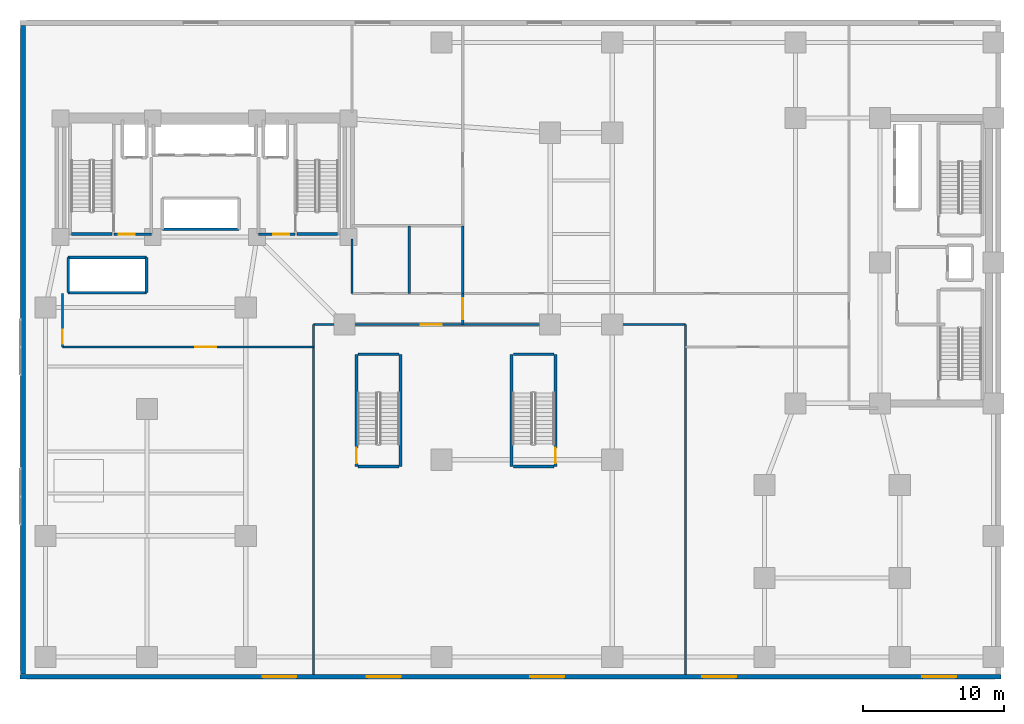
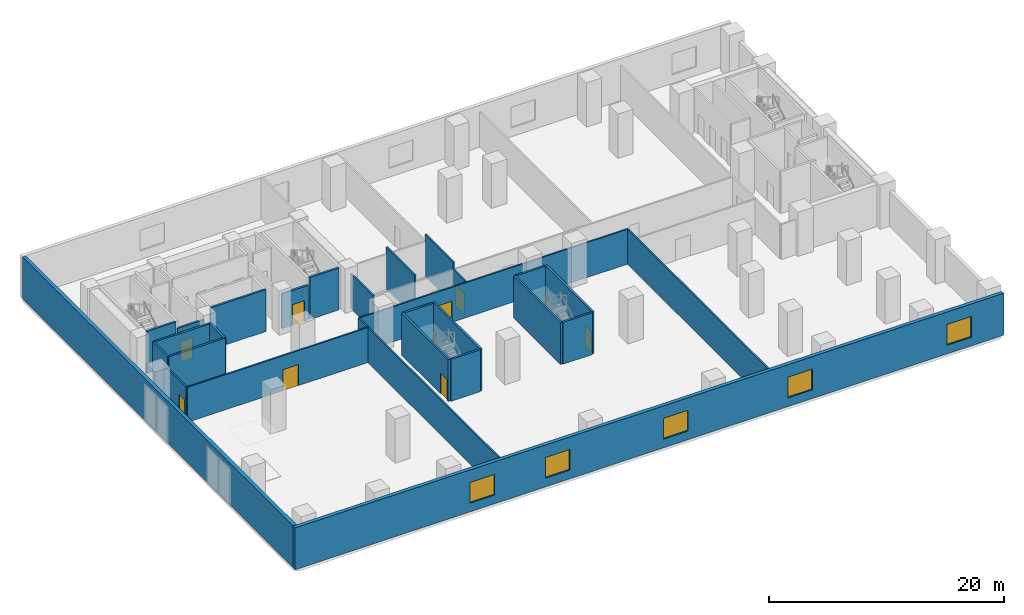
# One storey, part 8 of 14: 28 walls, 8 doors, 5 windows, 13 openings.
"""IFC4 building model written with IfcOpenShell, lengths in metres."""

from ifc_helpers import new_model, si_unit, direction, frame, frame_2d, origin, place, context, subcontext, project, spatial, rectangle, extrude, material, layer, layer_set, type_object, element, fill, save


model = new_model("IFC4")

# Units and contexts
model_context = context("Model", 3, precision=1e-05, world=origin(), true_north=direction((0.0, 1.0)))
body_context = subcontext(model_context, "Body", "Model", "MODEL_VIEW")
ifc_project = project(units=[si_unit("LENGTHUNIT", "METRE"), si_unit("AREAUNIT", "SQUARE_METRE"), si_unit("VOLUMEUNIT", "CUBIC_METRE"), si_unit("PLANEANGLEUNIT", "RADIAN"), si_unit("MASSUNIT", "GRAM", prefix="KILO")], contexts=[model_context])

# Site, building, storey
site_placement = place(None, origin())
site = spatial("IfcSite", under=ifc_project, at=site_placement, CompositionType="ELEMENT")
building_placement = place(site_placement, origin())
building = spatial("IfcBuilding", under=site, at=building_placement, Name="Kuzgunbayir Cultural Tower", CompositionType="ELEMENT")
storey_placement = place(building_placement, frame((0.0, 0.0, 13.0)))
storey = spatial("IfcBuildingStorey", under=building, at=storey_placement, Name="L03", CompositionType="ELEMENT", Elevation=13.0)

# Wall, openings, windows
ifc_material_1 = material(Name="Anatolian Cream Limestone", Category="masonry")
ifc_layer_1 = layer(ifc_material_1, 0.35009765625)
ifc_layer_set_1 = layer_set([ifc_layer_1], Name="Anatolian Cream Limestone")
wall_type_1 = type_object("IfcWallType", Name="WAL-EXT-STONE-350", PredefinedType="STANDARD", material=ifc_layer_set_1)
wall_1_placement = place(storey_placement, frame((3.60009765625, 2.60009765625, 0.0), z_axis=(0.0, 0.0, 1.0), x_axis=(1.0, 0.0, 0.0)))
wall_1 = element("IfcWall", 1, at=wall_1_placement, inside=storey, type_object=wall_type_1, Name="L03 Podium South Limestone Facade", PredefinedType="STANDARD", context=body_context, shape_type="SweptSolid", body=[
    extrude(rectangle(XDim=69.599853515625, YDim=0.35009765625, at=frame_2d((34.7998046875, 0.0))), origin(), (0.0, 0.0, 1.0), 4.35009765625),
])
opening_1_placement = place(wall_1_placement, frame((17.199951171875, 0.0, 0.89990234375)))
opening_1 = element("IfcOpeningElement", 2, at=opening_1_placement, cuts=wall_1, Name="Opening WG-24", PredefinedType="OPENING", context=body_context, shape_type="SweptSolid", body=[
    extrude(rectangle(XDim=2.39990234375, YDim=2.14990234375, at=frame_2d((1.199951171875, 1.074951171875))), frame((0.0, 0.18505859375, 0.0), z_axis=(0.0, -1.0, 0.0), x_axis=(1.0, 0.0, 0.0)), (0.0, 0.0, 1.0), 0.3701171875),
])
opening_2_placement = place(wall_1_placement, frame((24.60009765625, 0.0, 0.89990234375)))
opening_2 = element("IfcOpeningElement", 3, at=opening_2_placement, cuts=wall_1, Name="Opening WG-24", PredefinedType="OPENING", context=body_context, shape_type="SweptSolid", body=[
    extrude(rectangle(XDim=2.39990234375, YDim=2.14990234375, at=frame_2d((1.199951171875, 1.074951171875))), frame((0.0, 0.18505859375, 0.0), z_axis=(0.0, -1.0, 0.0), x_axis=(1.0, 0.0, 0.0)), (0.0, 0.0, 1.0), 0.3701171875),
])
opening_3_placement = place(wall_1_placement, frame((36.199951171875, 0.0, 0.89990234375)))
opening_3 = element("IfcOpeningElement", 4, at=opening_3_placement, cuts=wall_1, Name="Opening WG-24", PredefinedType="OPENING", context=body_context, shape_type="SweptSolid", body=[
    extrude(rectangle(XDim=2.39990234375, YDim=2.14990234375, at=frame_2d((1.199951171875, 1.074951171875))), frame((0.0, 0.18505859375, 0.0), z_axis=(0.0, -1.0, 0.0), x_axis=(1.0, 0.0, 0.0)), (0.0, 0.0, 1.0), 0.3701171875),
])
opening_4_placement = place(wall_1_placement, frame((48.39990234375, 0.0, 0.89990234375)))
opening_4 = element("IfcOpeningElement", 5, at=opening_4_placement, cuts=wall_1, Name="Opening WG-24", PredefinedType="OPENING", context=body_context, shape_type="SweptSolid", body=[
    extrude(rectangle(XDim=2.39990234375, YDim=2.14990234375, at=frame_2d((1.199951171875, 1.074951171875))), frame((0.0, 0.18505859375, 0.0), z_axis=(0.0, -1.0, 0.0), x_axis=(1.0, 0.0, 0.0)), (0.0, 0.0, 1.0), 0.3701171875),
])
opening_5_placement = place(wall_1_placement, frame((64.0, 0.0, 0.89990234375)))
opening_5 = element("IfcOpeningElement", 6, at=opening_5_placement, cuts=wall_1, Name="Opening WG-24", PredefinedType="OPENING", context=body_context, shape_type="SweptSolid", body=[
    extrude(rectangle(XDim=2.39990234375, YDim=2.14990234375, at=frame_2d((1.199951171875, 1.074951171875))), frame((0.0, 0.18505859375, 0.0), z_axis=(0.0, -1.0, 0.0), x_axis=(1.0, 0.0, 0.0)), (0.0, 0.0, 1.0), 0.3701171875),
])
ifc_material_2 = material(Name="Solar-Control Triple Glazing", Category="glass")
window_type = type_object("IfcWindowType", Name="WIN-GALLERY-24", PartitioningType="SINGLE_PANEL", PredefinedType="WINDOW", material=ifc_material_2)
window_1_placement = place(opening_1_placement, origin())
window_1 = element("IfcWindow", 7, at=window_1_placement, inside=storey, type_object=window_type, Name="L03 Podium South Gallery Window 1", OverallHeight=2.14990234375, OverallWidth=2.39990234375, PartitioningType="SINGLE_PANEL", PredefinedType="WINDOW", context=body_context, shape_type="SweptSolid", body=[
    extrude(rectangle(XDim=2.39990234375, YDim=2.14990234375, at=frame_2d((1.199951171875, 1.074951171875))), frame((0.0, 0.030029296875, 0.0), z_axis=(0.0, -1.0, 0.0), x_axis=(1.0, 0.0, 0.0)), (0.0, 0.0, 1.0), 0.06005859375),
])
fill(opening_1, window_1)
window_2_placement = place(opening_2_placement, origin())
window_2 = element("IfcWindow", 8, at=window_2_placement, inside=storey, type_object=window_type, Name="L03 Podium South Gallery Window 2", OverallHeight=2.14990234375, OverallWidth=2.39990234375, PartitioningType="SINGLE_PANEL", PredefinedType="WINDOW", context=body_context, shape_type="SweptSolid", body=[
    extrude(rectangle(XDim=2.39990234375, YDim=2.14990234375, at=frame_2d((1.199951171875, 1.074951171875))), frame((0.0, 0.030029296875, 0.0), z_axis=(0.0, -1.0, 0.0), x_axis=(1.0, 0.0, 0.0)), (0.0, 0.0, 1.0), 0.06005859375),
])
fill(opening_2, window_2)
window_3_placement = place(opening_3_placement, origin())
window_3 = element("IfcWindow", 9, at=window_3_placement, inside=storey, type_object=window_type, Name="L03 Podium South Gallery Window 3", OverallHeight=2.14990234375, OverallWidth=2.39990234375, PartitioningType="SINGLE_PANEL", PredefinedType="WINDOW", context=body_context, shape_type="SweptSolid", body=[
    extrude(rectangle(XDim=2.39990234375, YDim=2.14990234375, at=frame_2d((1.199951171875, 1.074951171875))), frame((0.0, 0.030029296875, 0.0), z_axis=(0.0, -1.0, 0.0), x_axis=(1.0, 0.0, 0.0)), (0.0, 0.0, 1.0), 0.06005859375),
])
fill(opening_3, window_3)
window_4_placement = place(opening_4_placement, origin())
window_4 = element("IfcWindow", 10, at=window_4_placement, inside=storey, type_object=window_type, Name="L03 Podium South Gallery Window 4", OverallHeight=2.14990234375, OverallWidth=2.39990234375, PartitioningType="SINGLE_PANEL", PredefinedType="WINDOW", context=body_context, shape_type="SweptSolid", body=[
    extrude(rectangle(XDim=2.39990234375, YDim=2.14990234375, at=frame_2d((1.199951171875, 1.074951171875))), frame((0.0, 0.030029296875, 0.0), z_axis=(0.0, -1.0, 0.0), x_axis=(1.0, 0.0, 0.0)), (0.0, 0.0, 1.0), 0.06005859375),
])
fill(opening_4, window_4)
window_5_placement = place(opening_5_placement, origin())
window_5 = element("IfcWindow", 11, at=window_5_placement, inside=storey, type_object=window_type, Name="L03 Podium South Gallery Window 5", OverallHeight=2.14990234375, OverallWidth=2.39990234375, PartitioningType="SINGLE_PANEL", PredefinedType="WINDOW", context=body_context, shape_type="SweptSolid", body=[
    extrude(rectangle(XDim=2.39990234375, YDim=2.14990234375, at=frame_2d((1.199951171875, 1.074951171875))), frame((0.0, 0.030029296875, 0.0), z_axis=(0.0, -1.0, 0.0), x_axis=(1.0, 0.0, 0.0)), (0.0, 0.0, 1.0), 0.06005859375),
])
fill(opening_5, window_5)

# Wall
wall_2_placement = place(storey_placement, frame((3.800048828125, 48.800048828125, 0.0), z_axis=(0.0, 0.0, 1.0), x_axis=(0.0, -1.0, 0.0)))
element("IfcWall", 12, at=wall_2_placement, inside=storey, type_object=wall_type_1, Name="L03 Podium West Civic Limestone Facade", PredefinedType="STANDARD", context=body_context, shape_type="SweptSolid", body=[
    extrude(rectangle(XDim=46.0, YDim=0.35009765625, at=frame_2d((23.0, 0.0))), origin(), (0.0, 0.0, 1.0), 4.35009765625),
])

# Wall, opening, door
ifc_material_3 = material(Name="Acoustic Double-Stud Drywall", Category="gypsum")
ifc_layer_2 = layer(ifc_material_3, 0.14990234375)
ifc_layer_set_2 = layer_set([ifc_layer_2], Name="Acoustic Double-Stud Drywall")
wall_type_2 = type_object("IfcWallType", Name="WAL-PART-ACOUSTIC-150", PredefinedType="PARTITIONING", material=ifc_layer_set_2)
wall_3_placement = place(storey_placement, frame((6.60009765625, 26.0, 0.0), z_axis=(0.0, 0.0, 1.0), x_axis=(1.0, 0.0, 0.0)))
wall_3 = element("IfcWall", 13, at=wall_3_placement, inside=storey, type_object=wall_type_2, Name="L03 West Concourse South Wall", PredefinedType="PARTITIONING", context=body_context, shape_type="SweptSolid", body=[
    extrude(rectangle(XDim=17.7998046875, YDim=0.14990234375, at=frame_2d((8.89990234375, 0.0))), origin(), (0.0, 0.0, 1.0), 3.6298828125),
])
opening_6_placement = place(wall_3_placement, frame((9.39990234375, 0.0, 0.0)))
opening_6 = element("IfcOpeningElement", 14, at=opening_6_placement, cuts=wall_3, Name="Opening DI-150", PredefinedType="OPENING", context=body_context, shape_type="SweptSolid", body=[
    extrude(rectangle(XDim=1.5, YDim=2.179931640625, at=frame_2d((0.75, 1.08984375))), frame((0.0, 0.0849609375, 0.0), z_axis=(0.0, -1.0, 0.0), x_axis=(1.0, 0.0, 0.0)), (0.0, 0.0, 1.0), 0.169921875),
])
ifc_material_4 = material(Name="Veneered Oak Double Leaf", Category="wood")
door_type_1 = type_object("IfcDoorType", Name="DR-INT-150", OperationType="DOUBLE_DOOR_SINGLE_SWING", PredefinedType="DOOR", material=ifc_material_4)
door_1_placement = place(opening_6_placement, origin())
door_1 = element("IfcDoor", 15, at=door_1_placement, inside=storey, type_object=door_type_1, Name="L03 West Hall Concourse Door", OperationType="DOUBLE_DOOR_SINGLE_SWING", OverallHeight=2.179931640625, OverallWidth=1.5, PredefinedType="DOOR", context=body_context, shape_type="SweptSolid", body=[
    extrude(rectangle(XDim=1.5, YDim=2.179931640625, at=frame_2d((0.75, 1.08984375))), frame((0.0, 0.02490234375, 0.0), z_axis=(0.0, -1.0, 0.0), x_axis=(1.0, 0.0, 0.0)), (0.0, 0.0, 1.0), 0.050048828125),
])
fill(opening_6, door_1)

wall_4_placement = place(storey_placement, frame((24.39990234375, 27.60009765625, 0.0), z_axis=(0.0, 0.0, 1.0), x_axis=(1.0, 0.0, 0.0)))
wall_4 = element("IfcWall", 16, at=wall_4_placement, inside=storey, type_object=wall_type_2, Name="L03 Central Concourse South Wall", PredefinedType="PARTITIONING", context=body_context, shape_type="SweptSolid", body=[
    extrude(rectangle(XDim=26.400146484375, YDim=0.14990234375, at=frame_2d((13.2001953125, 0.0))), origin(), (0.0, 0.0, 1.0), 3.6298828125),
])
opening_7_placement = place(wall_4_placement, frame((7.60009765625, 0.0, 0.0)))
opening_7 = element("IfcOpeningElement", 17, at=opening_7_placement, cuts=wall_4, Name="Opening DI-150", PredefinedType="OPENING", context=body_context, shape_type="SweptSolid", body=[
    extrude(rectangle(XDim=1.5, YDim=2.179931640625, at=frame_2d((0.75, 1.08984375))), frame((0.0, 0.0849609375, 0.0), z_axis=(0.0, -1.0, 0.0), x_axis=(1.0, 0.0, 0.0)), (0.0, 0.0, 1.0), 0.169921875),
])
door_2_placement = place(opening_7_placement, origin())
door_2 = element("IfcDoor", 18, at=door_2_placement, inside=storey, type_object=door_type_1, Name="L03 Central Hall Double Door", OperationType="DOUBLE_DOOR_SINGLE_SWING", OverallHeight=2.179931640625, OverallWidth=1.5, PredefinedType="DOOR", context=body_context, shape_type="SweptSolid", body=[
    extrude(rectangle(XDim=1.5, YDim=2.179931640625, at=frame_2d((0.75, 1.08984375))), frame((0.0, 0.02490234375, 0.0), z_axis=(0.0, -1.0, 0.0), x_axis=(1.0, 0.0, 0.0)), (0.0, 0.0, 1.0), 0.050048828125),
])
fill(opening_7, door_2)

wall_5_placement = place(storey_placement, frame((35.0, 27.60009765625, 0.0), z_axis=(0.0, 0.0, 1.0), x_axis=(0.0, 1.0, 0.0)))
wall_5 = element("IfcWall", 19, at=wall_5_placement, inside=storey, type_object=wall_type_2, Name="L03 Grand Concourse Mid Threshold Wall", PredefinedType="PARTITIONING", context=body_context, shape_type="SweptSolid", body=[
    extrude(rectangle(XDim=2.199951171875, YDim=0.14990234375, at=frame_2d((1.10009765625, 0.0))), origin(), (0.0, 0.0, 1.0), 3.6298828125),
])
opening_8_placement = place(wall_5_placement, frame((0.35009765625, 0.0, 0.0)))
opening_8 = element("IfcOpeningElement", 20, at=opening_8_placement, cuts=wall_5, Name="Opening DI-150", PredefinedType="OPENING", context=body_context, shape_type="SweptSolid", body=[
    extrude(rectangle(XDim=1.5, YDim=2.179931640625, at=frame_2d((0.75, 1.08984375))), frame((0.0, 0.0849609375, 0.0), z_axis=(0.0, -1.0, 0.0), x_axis=(1.0, 0.0, 0.0)), (0.0, 0.0, 1.0), 0.169921875),
])
door_3_placement = place(opening_8_placement, origin())
door_3 = element("IfcDoor", 21, at=door_3_placement, inside=storey, type_object=door_type_1, Name="L03 Grand Concourse Mid Threshold Door", OperationType="DOUBLE_DOOR_SINGLE_SWING", OverallHeight=2.179931640625, OverallWidth=1.5, PredefinedType="DOOR", context=body_context, shape_type="SweptSolid", body=[
    extrude(rectangle(XDim=1.5, YDim=2.179931640625, at=frame_2d((0.75, 1.08984375))), frame((0.0, 0.02490234375, 0.0), z_axis=(0.0, -1.0, 0.0), x_axis=(1.0, 0.0, 0.0)), (0.0, 0.0, 1.0), 0.050048828125),
])
fill(opening_8, door_3)

wall_6_placement = place(storey_placement, frame((6.60009765625, 26.0, 0.0), z_axis=(0.0, 0.0, 1.0), x_axis=(0.0, 1.0, 0.0)))
wall_6 = element("IfcWall", 22, at=wall_6_placement, inside=storey, type_object=wall_type_2, Name="L03 West Foyer Concourse Threshold", PredefinedType="PARTITIONING", context=body_context, shape_type="SweptSolid", body=[
    extrude(rectangle(XDim=3.800048828125, YDim=0.14990234375, at=frame_2d((1.89990234375, 0.0))), origin(), (0.0, 0.0, 1.0), 3.6298828125),
])
opening_9_placement = place(wall_6_placement, frame((0.239990234375, 0.0, 0.0)))
opening_9 = element("IfcOpeningElement", 23, at=opening_9_placement, cuts=wall_6, Name="Opening DI-100", PredefinedType="OPENING", context=body_context, shape_type="SweptSolid", body=[
    extrude(rectangle(XDim=1.0, YDim=2.14990234375, at=frame_2d((0.5, 1.074951171875))), frame((0.0, 0.0849609375, 0.0), z_axis=(0.0, -1.0, 0.0), x_axis=(1.0, 0.0, 0.0)), (0.0, 0.0, 1.0), 0.169921875),
])
ifc_material_5 = material(Name="Veneered Oak Single Leaf", Category="wood")
door_type_2 = type_object("IfcDoorType", Name="DR-INT-100", OperationType="NOTDEFINED", PredefinedType="DOOR", material=ifc_material_5)
door_4_placement = place(opening_9_placement, origin())
door_4 = element("IfcDoor", 24, at=door_4_placement, inside=storey, type_object=door_type_2, Name="L03 West Hall Threshold Door", OperationType="SINGLE_SWING_RIGHT", OverallHeight=2.14990234375, OverallWidth=1.0, PredefinedType="DOOR", context=body_context, shape_type="SweptSolid", body=[
    extrude(rectangle(XDim=1.0, YDim=2.14990234375, at=frame_2d((0.5, 1.074951171875))), frame((0.0, 0.02490234375, 0.0), z_axis=(0.0, -1.0, 0.0), x_axis=(1.0, 0.0, 0.0)), (0.0, 0.0, 1.0), 0.050048828125),
])
fill(opening_9, door_4)

# Walls
for number, where, z_axis, x_axis, name in (
    (25, (24.39990234375, 2.75, 0.0), (0.0, 0.0, 1.0), (0.0, 1.0, 0.0), "L03 West Cultural Hall Divider"),
    (26, (50.800048828125, 2.75, 0.0), (0.0, 0.0, 1.0), (0.0, 1.0, 0.0), "L03 Central Performance Hall Divider"),
):
    element("IfcWall", number, at=place(storey_placement, frame(where, z_axis=z_axis, x_axis=x_axis)), inside=storey, type_object=wall_type_2, Name=name, PredefinedType="PARTITIONING", context=body_context, shape_type="SweptSolid", body=[
        extrude(rectangle(XDim=24.85009765625, YDim=0.14990234375, at=frame_2d((12.425048828125, 0.0))), origin(), (0.0, 0.0, 1.0), 3.6298828125),
    ])

# Wall, opening, door
ifc_material_6 = material(Name="Aerated Concrete Blockwork", Category="masonry")
ifc_layer_3 = layer(ifc_material_6, 0.199951171875)
ifc_layer_set_3 = layer_set([ifc_layer_3], Name="Aerated Concrete Blockwork")
wall_type_3 = type_object("IfcWallType", Name="WAL-PART-FIRE-200", PredefinedType="PARTITIONING", material=ifc_layer_set_3)
wall_7_placement = place(storey_placement, frame((10.239990234375, 34.0, 0.0), z_axis=(0.0, 0.0, 1.0), x_axis=(1.0, 0.0, 0.0)))
wall_7 = element("IfcWall", 27, at=wall_7_placement, inside=storey, type_object=wall_type_3, Name="L03 FFL-1 Lobby South Fire Wall", PredefinedType="PARTITIONING", context=body_context, shape_type="SweptSolid", body=[
    extrude(rectangle(XDim=2.659912109375, YDim=0.199951171875, at=frame_2d((1.330078125, 0.0))), origin(), (0.0, 0.0, 1.0), 3.6298828125),
])
opening_10_placement = place(wall_7_placement, frame((0.35009765625, 0.0, 0.0)))
opening_10 = element("IfcOpeningElement", 28, at=opening_10_placement, cuts=wall_7, Name="Opening DR-FFL-90", PredefinedType="OPENING", context=body_context, shape_type="SweptSolid", body=[
    extrude(rectangle(XDim=1.14990234375, YDim=2.14990234375, at=frame_2d((0.574951171875, 1.074951171875))), frame((0.0, 0.10986328125, 0.0), z_axis=(0.0, -1.0, 0.0), x_axis=(1.0, 0.0, 0.0)), (0.0, 0.0, 1.0), 0.219970703125),
])
ifc_material_7 = material(Name="Steel S355J2", Category="steel")
door_type_3 = type_object("IfcDoorType", Name="DR-FFL-90", OperationType="NOTDEFINED", PredefinedType="DOOR", material=ifc_material_7)
door_5_placement = place(opening_10_placement, origin())
door_5 = element("IfcDoor", 29, at=door_5_placement, inside=storey, type_object=door_type_3, Name="L03 Firefighting Lobby 1 Door", OperationType="SINGLE_SWING_RIGHT", OverallHeight=2.14990234375, OverallWidth=1.14990234375, PredefinedType="DOOR", context=body_context, shape_type="SweptSolid", body=[
    extrude(rectangle(XDim=1.14990234375, YDim=2.14990234375, at=frame_2d((0.574951171875, 1.074951171875))), frame((0.0, 0.02490234375, 0.0), z_axis=(0.0, -1.0, 0.0), x_axis=(1.0, 0.0, 0.0)), (0.0, 0.0, 1.0), 0.050048828125),
])
fill(opening_10, door_5)

wall_8_placement = place(storey_placement, frame((20.5, 34.0, 0.0), z_axis=(0.0, 0.0, 1.0), x_axis=(1.0, 0.0, 0.0)))
wall_8 = element("IfcWall", 30, at=wall_8_placement, inside=storey, type_object=wall_type_3, Name="L03 FFL-2 Lobby South Fire Wall", PredefinedType="PARTITIONING", context=body_context, shape_type="SweptSolid", body=[
    extrude(rectangle(XDim=2.60009765625, YDim=0.199951171875, at=frame_2d((1.300048828125, 0.0))), origin(), (0.0, 0.0, 1.0), 3.6298828125),
])
opening_11_placement = place(wall_8_placement, frame((1.050048828125, 0.0, 0.0)))
opening_11 = element("IfcOpeningElement", 31, at=opening_11_placement, cuts=wall_8, Name="Opening DR-FFL-90", PredefinedType="OPENING", context=body_context, shape_type="SweptSolid", body=[
    extrude(rectangle(XDim=1.14990234375, YDim=2.14990234375, at=frame_2d((0.574951171875, 1.074951171875))), frame((0.0, 0.10986328125, 0.0), z_axis=(0.0, -1.0, 0.0), x_axis=(1.0, 0.0, 0.0)), (0.0, 0.0, 1.0), 0.219970703125),
])
door_6_placement = place(opening_11_placement, origin())
door_6 = element("IfcDoor", 32, at=door_6_placement, inside=storey, type_object=door_type_3, Name="L03 Firefighting Lobby 2 Door", OperationType="SINGLE_SWING_LEFT", OverallHeight=2.14990234375, OverallWidth=1.14990234375, PredefinedType="DOOR", context=body_context, shape_type="SweptSolid", body=[
    extrude(rectangle(XDim=1.14990234375, YDim=2.14990234375, at=frame_2d((0.574951171875, 1.074951171875))), frame((0.0, 0.02490234375, 0.0), z_axis=(0.0, -1.0, 0.0), x_axis=(1.0, 0.0, 0.0)), (0.0, 0.0, 1.0), 0.050048828125),
])
fill(opening_11, door_6)

# Walls
ifc_material_8 = material(Name="Moisture-Resistant Tile Partition", Category="gypsum")
ifc_layer_4 = layer(ifc_material_8, 0.14990234375)
ifc_layer_set_4 = layer_set([ifc_layer_4], Name="Moisture-Resistant Tile Partition")
wall_type_4 = type_object("IfcWallType", Name="WAL-PART-WET-150", PredefinedType="PARTITIONING", material=ifc_layer_set_4)
wall_9_placement = place(storey_placement, frame((27.14990234375, 29.800048828125, 0.0), z_axis=(0.0, 0.0, 1.0), x_axis=(0.0, 1.0, 0.0)))
element("IfcWall", 33, at=wall_9_placement, inside=storey, type_object=wall_type_4, Name="L03 Core East Partition South", PredefinedType="PARTITIONING", context=body_context, shape_type="SweptSolid", body=[
    extrude(rectangle(XDim=3.849853515625, YDim=0.14990234375, at=frame_2d((1.9248046875, 0.0))), origin(), (0.0, 0.0, 1.0), 3.6298828125),
])
for number, where, z_axis, x_axis, name in (
    (34, (31.199951171875, 29.800048828125, 0.0), (0.0, 0.0, 1.0), (0.0, 1.0, 0.0), "L03 Public WC East Wall"),
    (35, (35.0, 29.800048828125, 0.0), (0.0, 0.0, 1.0), (0.0, 1.0, 0.0), "L03 Accessible WC East Wall"),
):
    element("IfcWall", number, at=place(storey_placement, frame(where, z_axis=z_axis, x_axis=x_axis)), inside=storey, type_object=wall_type_4, Name=name, PredefinedType="PARTITIONING", context=body_context, shape_type="SweptSolid", body=[
        extrude(rectangle(XDim=4.800048828125, YDim=0.14990234375, at=frame_2d((2.39990234375, 0.0))), origin(), (0.0, 0.0, 1.0), 4.35009765625),
    ])
ifc_material_9 = material(Name="Concrete C40/50", Category="concrete")
ifc_layer_5 = layer(ifc_material_9, 0.199951171875)
ifc_layer_set_5 = layer_set([ifc_layer_5], Name="Concrete C40/50")
wall_type_5 = type_object("IfcWallType", Name="WAL-SHAFT-200", PredefinedType="MOVABLE", material=ifc_layer_set_5)
for number, where, z_axis, x_axis, name in (
    (36, (7.0, 29.85009765625, 0.0), (0.0, 0.0, 1.0), (1.0, 0.0, 0.0), "L03 High-Rise Lift Shaft South Wall"),
    (37, (7.0, 32.35009765625, 0.0), (0.0, 0.0, 1.0), (1.0, 0.0, 0.0), "L03 High-Rise Lift Shaft North Wall"),
):
    element("IfcWall", number, at=place(storey_placement, frame(where, z_axis=z_axis, x_axis=x_axis)), inside=storey, type_object=wall_type_5, Name=name, PredefinedType="MOVABLE", context=body_context, shape_type="SweptSolid", body=[
        extrude(rectangle(XDim=5.550048828125, YDim=0.199951171875, at=frame_2d((2.77490234375, 0.0))), origin(), (0.0, 0.0, 1.0), 4.35009765625),
    ])
for number, where, z_axis, x_axis, name in (
    (38, (7.0, 29.85009765625, 0.0), (0.0, 0.0, 1.0), (0.0, 1.0, 0.0), "L03 High-Rise Lift Shaft West Wall"),
    (39, (12.550048828125, 29.85009765625, 0.0), (0.0, 0.0, 1.0), (0.0, 1.0, 0.0), "L03 High-Rise Lift Shaft East Wall"),
):
    element("IfcWall", number, at=place(storey_placement, frame(where, z_axis=z_axis, x_axis=x_axis)), inside=storey, type_object=wall_type_5, Name=name, PredefinedType="MOVABLE", context=body_context, shape_type="SweptSolid", body=[
        extrude(rectangle(XDim=2.5, YDim=0.199951171875, at=frame_2d((1.25, 0.0))), origin(), (0.0, 0.0, 1.0), 4.35009765625),
    ])
wall_10_placement = place(storey_placement, frame((13.699951171875, 34.35009765625, 0.0), z_axis=(0.0, 0.0, 1.0), x_axis=(1.0, 0.0, 0.0)))
element("IfcWall", 40, at=wall_10_placement, inside=storey, type_object=wall_type_5, Name="L03 Mid-Rise Lift Front Wall", PredefinedType="MOVABLE", context=body_context, shape_type="SweptSolid", body=[
    extrude(rectangle(XDim=5.420166015625, YDim=0.199951171875, at=frame_2d((2.7099609375, 0.0))), origin(), (0.0, 0.0, 1.0), 4.35009765625),
])
ifc_layer_6 = layer(ifc_material_9, 0.199951171875)
ifc_layer_set_6 = layer_set([ifc_layer_6], Name="Concrete C40/50")
wall_type_6 = type_object("IfcWallType", Name="WAL-STAIR-RC-200", PredefinedType="SHEAR", material=ifc_layer_set_6)
for number, where, z_axis, x_axis, name in (
    (41, (7.239990234375, 34.02001953125, 0.0), (0.0, 0.0, 1.0), (1.0, 0.0, 0.0), "L03 Stair ST-1 South Structural Wall"),
    (42, (23.239990234375, 34.02001953125, 0.0), (0.0, 0.0, 1.0), (1.0, 0.0, 0.0), "L03 Stair ST-2 South Structural Wall"),
):
    element("IfcWall", number, at=place(storey_placement, frame(where, z_axis=z_axis, x_axis=x_axis)), inside=storey, type_object=wall_type_6, Name=name, PredefinedType="SHEAR", context=body_context, shape_type="SweptSolid", body=[
        extrude(rectangle(XDim=2.880126953125, YDim=0.199951171875, at=frame_2d((1.43994140625, 0.0))), origin(), (0.0, 0.0, 1.0), 4.35009765625),
    ])

# Wall, opening, door
wall_11_placement = place(storey_placement, frame((27.4599609375, 17.52001953125, 0.0), z_axis=(0.0, 0.0, 1.0), x_axis=(0.0, 1.0, 0.0)))
wall_11 = element("IfcWall", 43, at=wall_11_placement, inside=storey, type_object=wall_type_6, Name="L03 Stair ST-5 West Structural Wall", PredefinedType="SHEAR", context=body_context, shape_type="SweptSolid", body=[
    extrude(rectangle(XDim=7.9599609375, YDim=0.199951171875, at=frame_2d((3.97998046875, 0.0))), origin(), (0.0, 0.0, 1.0), 4.35009765625),
])
opening_12_placement = place(wall_11_placement, frame((0.219970703125, 0.0, 0.0)))
opening_12 = element("IfcOpeningElement", 44, at=opening_12_placement, cuts=wall_11, Name="Opening DR-STAIR-90", PredefinedType="OPENING", context=body_context, shape_type="SweptSolid", body=[
    extrude(rectangle(XDim=1.10009765625, YDim=2.14990234375, at=frame_2d((0.550048828125, 1.074951171875))), frame((0.0, 0.10986328125, 0.0), z_axis=(0.0, -1.0, 0.0), x_axis=(1.0, 0.0, 0.0)), (0.0, 0.0, 1.0), 0.219970703125),
])
door_type_4 = type_object("IfcDoorType", Name="DR-STAIR-90", OperationType="NOTDEFINED", PredefinedType="DOOR", material=ifc_material_7)
door_7_placement = place(opening_12_placement, origin())
door_7 = element("IfcDoor", 45, at=door_7_placement, inside=storey, type_object=door_type_4, Name="L03 Stair ST-5 Fire Door", OperationType="SINGLE_SWING_RIGHT", OverallHeight=2.14990234375, OverallWidth=1.10009765625, PredefinedType="DOOR", context=body_context, shape_type="SweptSolid", body=[
    extrude(rectangle(XDim=1.10009765625, YDim=2.14990234375, at=frame_2d((0.550048828125, 1.074951171875))), frame((0.0, 0.02490234375, 0.0), z_axis=(0.0, -1.0, 0.0), x_axis=(1.0, 0.0, 0.0)), (0.0, 0.0, 1.0), 0.050048828125),
])
fill(opening_12, door_7)

# Walls
wall_12_placement = place(storey_placement, frame((30.580078125, 17.52001953125, 0.0), z_axis=(0.0, 0.0, 1.0), x_axis=(0.0, 1.0, 0.0)))
element("IfcWall", 46, at=wall_12_placement, inside=storey, type_object=wall_type_6, Name="L03 Stair ST-5 East Structural Wall", PredefinedType="SHEAR", context=body_context, shape_type="SweptSolid", body=[
    extrude(rectangle(XDim=7.9599609375, YDim=0.199951171875, at=frame_2d((3.97998046875, 0.0))), origin(), (0.0, 0.0, 1.0), 4.35009765625),
])
for number, where, z_axis, x_axis, name in (
    (47, (27.580078125, 25.47998046875, 0.0), (0.0, 0.0, 1.0), (1.0, 0.0, 0.0), "L03 Stair ST-5 North Structural Wall"),
    (48, (27.580078125, 17.52001953125, 0.0), (0.0, 0.0, 1.0), (1.0, 0.0, 0.0), "L03 Stair ST-5 South Structural Wall"),
):
    element("IfcWall", number, at=place(storey_placement, frame(where, z_axis=z_axis, x_axis=x_axis)), inside=storey, type_object=wall_type_6, Name=name, PredefinedType="SHEAR", context=body_context, shape_type="SweptSolid", body=[
        extrude(rectangle(XDim=2.8798828125, YDim=0.199951171875, at=frame_2d((1.43994140625, 0.0))), origin(), (0.0, 0.0, 1.0), 4.35009765625),
    ])
wall_13_placement = place(storey_placement, frame((38.4599609375, 17.52001953125, 0.0), z_axis=(0.0, 0.0, 1.0), x_axis=(0.0, 1.0, 0.0)))
element("IfcWall", 49, at=wall_13_placement, inside=storey, type_object=wall_type_6, Name="L03 Stair ST-6 West Structural Wall", PredefinedType="SHEAR", context=body_context, shape_type="SweptSolid", body=[
    extrude(rectangle(XDim=7.9599609375, YDim=0.199951171875, at=frame_2d((3.97998046875, 0.0))), origin(), (0.0, 0.0, 1.0), 4.35009765625),
])

# Wall, opening, door
wall_14_placement = place(storey_placement, frame((41.580078125, 17.52001953125, 0.0), z_axis=(0.0, 0.0, 1.0), x_axis=(0.0, 1.0, 0.0)))
wall_14 = element("IfcWall", 50, at=wall_14_placement, inside=storey, type_object=wall_type_6, Name="L03 Stair ST-6 East Structural Wall", PredefinedType="SHEAR", context=body_context, shape_type="SweptSolid", body=[
    extrude(rectangle(XDim=7.9599609375, YDim=0.199951171875, at=frame_2d((3.97998046875, 0.0))), origin(), (0.0, 0.0, 1.0), 4.35009765625),
])
opening_13_placement = place(wall_14_placement, frame((0.219970703125, 0.0, 0.0)))
opening_13 = element("IfcOpeningElement", 51, at=opening_13_placement, cuts=wall_14, Name="Opening DR-STAIR-90", PredefinedType="OPENING", context=body_context, shape_type="SweptSolid", body=[
    extrude(rectangle(XDim=1.10009765625, YDim=2.14990234375, at=frame_2d((0.550048828125, 1.074951171875))), frame((0.0, 0.10986328125, 0.0), z_axis=(0.0, -1.0, 0.0), x_axis=(1.0, 0.0, 0.0)), (0.0, 0.0, 1.0), 0.219970703125),
])
door_8_placement = place(opening_13_placement, origin())
door_8 = element("IfcDoor", 52, at=door_8_placement, inside=storey, type_object=door_type_4, Name="L03 Stair ST-6 Fire Door", OperationType="SINGLE_SWING_RIGHT", OverallHeight=2.14990234375, OverallWidth=1.10009765625, PredefinedType="DOOR", context=body_context, shape_type="SweptSolid", body=[
    extrude(rectangle(XDim=1.10009765625, YDim=2.14990234375, at=frame_2d((0.550048828125, 1.074951171875))), frame((0.0, 0.02490234375, 0.0), z_axis=(0.0, -1.0, 0.0), x_axis=(1.0, 0.0, 0.0)), (0.0, 0.0, 1.0), 0.050048828125),
])
fill(opening_13, door_8)

# Walls
for number, where, z_axis, x_axis, name in (
    (53, (38.580078125, 25.47998046875, 0.0), (0.0, 0.0, 1.0), (1.0, 0.0, 0.0), "L03 Stair ST-6 North Structural Wall"),
    (54, (38.580078125, 17.52001953125, 0.0), (0.0, 0.0, 1.0), (1.0, 0.0, 0.0), "L03 Stair ST-6 South Structural Wall"),
):
    element("IfcWall", number, at=place(storey_placement, frame(where, z_axis=z_axis, x_axis=x_axis)), inside=storey, type_object=wall_type_6, Name=name, PredefinedType="SHEAR", context=body_context, shape_type="SweptSolid", body=[
        extrude(rectangle(XDim=2.8798828125, YDim=0.199951171875, at=frame_2d((1.43994140625, 0.0))), origin(), (0.0, 0.0, 1.0), 4.35009765625),
    ])

save(model, "model.ifc")
